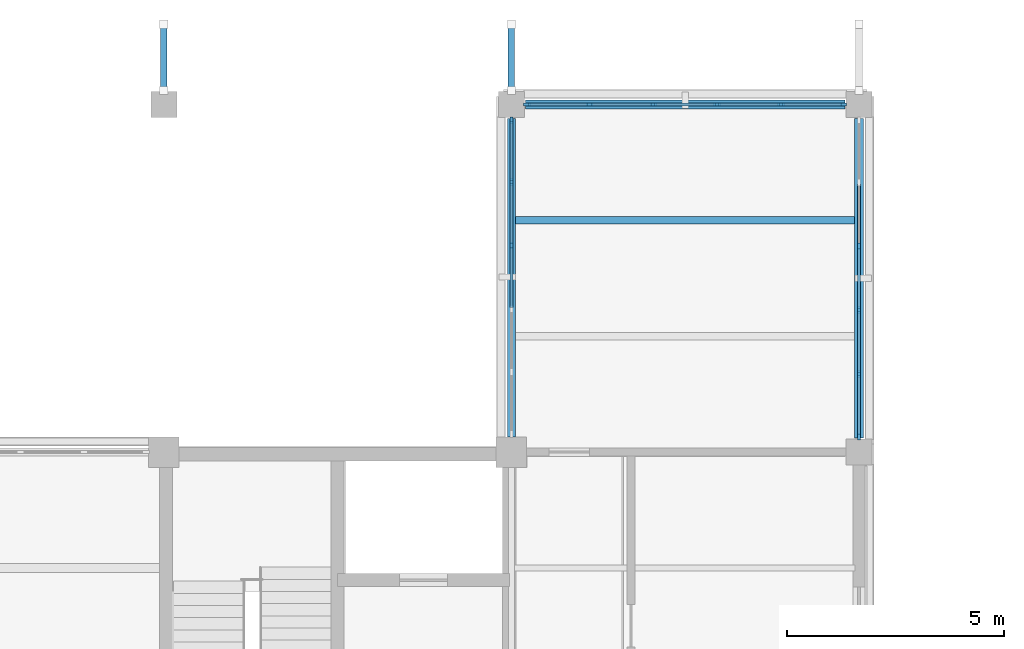
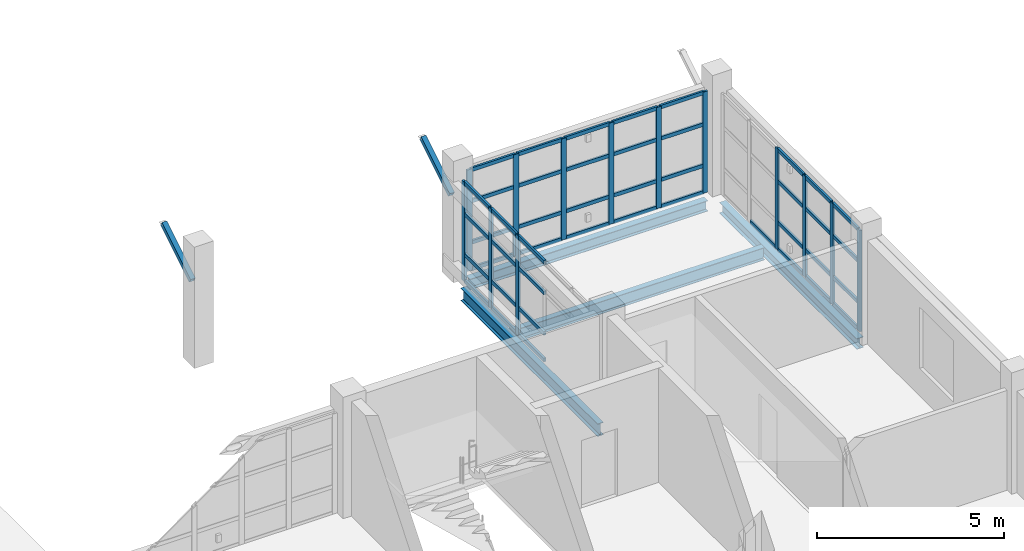
# One storey, part 7 of 35: 60 members, 4 beams, 3 elements without a shape of their own.
"""IFC4 building model written with IfcOpenShell, lengths in metres."""

from ifc_helpers import new_model, si_unit, derived_unit, direction, frame, origin, origin_2d, place, context, subcontext, project, spatial, rectangle, hollow_rectangle, i_section, extrude, material, layer, layer_set, material_profile, profile_set, type_object, element, aggregate, save


model = new_model("IFC4")

# Units and contexts
model_context = context("Model", 3, precision=1e-05, world=origin(), true_north=direction((0.0, 1.0)))
body_context = subcontext(model_context, "Body", "Model", "MODEL_VIEW")
ifc_project = project(units=[si_unit("LENGTHUNIT", "METRE"), si_unit("AREAUNIT", "SQUARE_METRE"), si_unit("VOLUMEUNIT", "CUBIC_METRE"), si_unit("PLANEANGLEUNIT", "RADIAN"), si_unit("MASSUNIT", "GRAM", prefix="KILO"), derived_unit("THERMALTRANSMITTANCEUNIT", [(si_unit("MASSUNIT", "GRAM", prefix="KILO"), 1), (si_unit("TIMEUNIT", "SECOND"), -3), (si_unit("THERMODYNAMICTEMPERATUREUNIT", "KELVIN"), -1)])], contexts=[model_context])

# Site, building, storey
site_placement = place(None, origin())
site = spatial("IfcSite", under=ifc_project, at=site_placement, CompositionType="ELEMENT")
building_placement = place(site_placement, origin())
building = spatial("IfcBuilding", under=site, at=building_placement, Name="Veyamyaing Civic Hall", CompositionType="ELEMENT")
storey_placement = place(building_placement, frame((0.0, 0.0, 21.780029296875)))
storey = spatial("IfcBuildingStorey", under=building, at=storey_placement, Name="L05", CompositionType="ELEMENT", Elevation=21.780029296875)

# Beams
ifc_material_1 = material(Name="Steel ASTM A992", Category="steel")
ifc_material_profile_1 = material_profile(ifc_material_1, i_section(OverallWidth=0.179931640625, OverallDepth=0.4130859375, WebThickness=0.009765625, FlangeThickness=0.01611328125, FilletRadius=0.010009765625, at=origin_2d()), Name="W410X74")
ifc_profile_set_1 = profile_set([ifc_material_profile_1], Name="Steel ASTM A992")
beam_type_1 = type_object("IfcBeamType", Name="B-10", PredefinedType="SPANDREL", material=ifc_profile_set_1)
beam_1_placement = place(storey_placement, frame((40.0, 104.35009765625, -0.431640625), z_axis=(0.0, 1.0, 0.0), x_axis=(-1.0, 0.0, 0.0)))
element("IfcBeam", 1, at=beam_1_placement, inside=storey, type_object=beam_type_1, Name="Girder B-10 L05 Grid 6 P-Q", PredefinedType="SPANDREL", context=body_context, shape_type="SweptSolid", body=[
    extrude(i_section(OverallWidth=0.179931640625, OverallDepth=0.4130859375, WebThickness=0.009765625, FlangeThickness=0.01611328125, FilletRadius=0.010009765625, at=origin_2d()), origin(), (0.0, 0.0, 1.0), 7.324951171875),
])
ifc_material_profile_2 = material_profile(ifc_material_1, i_section(OverallWidth=0.2041015625, OverallDepth=0.35009765625, WebThickness=0.0078125, FlangeThickness=0.01513671875, FilletRadius=0.010009765625, at=origin_2d()), Name="W360X72")
ifc_profile_set_2 = profile_set([ifc_material_profile_2], Name="Steel ASTM A992")
beam_type_2 = type_object("IfcBeamType", Name="B-11", PredefinedType="SPANDREL", material=ifc_profile_set_2)
for number, where, z_axis, x_axis, name in (
    (2, (40.324951171875, 112.0, -0.400146484375), (1.0, 0.0, 0.0), (0.0, 1.0, 0.0), "Girder B-11 L05 Grid Q 6-7"),
    (3, (48.0, 104.324951171875, -0.400146484375), (0.0, 1.0, 0.0), (-1.0, 0.0, 0.0), "Girder B-11 L05 Grid 7 P-Q"),
):
    element("IfcBeam", number, at=place(storey_placement, frame(where, z_axis=z_axis, x_axis=x_axis)), inside=storey, type_object=beam_type_2, Name=name, PredefinedType="SPANDREL", context=body_context, shape_type="SweptSolid", body=[
        extrude(i_section(OverallWidth=0.2041015625, OverallDepth=0.35009765625, WebThickness=0.0078125, FlangeThickness=0.01513671875, FilletRadius=0.010009765625, at=origin_2d()), origin(), (0.0, 0.0, 1.0), 7.35009765625),
    ])

# Curtain wall, members
ifc_material_2 = material(Name="Anodised aluminium 6063-T6", Category="aluminium")
ifc_layer = layer(ifc_material_2, 0.159912109375, Name="Anodised aluminium 6063-T6")
ifc_layer_set = layer_set([ifc_layer], Name="Anodised aluminium 6063-T6")
curtain_wall_type = type_object("IfcCurtainWallType", Name="CW-09", PredefinedType="NOTDEFINED", material=ifc_layer_set)
curtain_wall_1_placement = place(storey_placement, origin())
curtain_wall_1 = element("IfcCurtainWall", 4, at=curtain_wall_1_placement, inside=storey, type_object=curtain_wall_type, Name="Unitized curtain wall CW-09 L05 N 6.14", PredefinedType="NOTDEFINED")
ifc_material_profile_3 = material_profile(ifc_material_2, rectangle(XDim=0.06494140625, YDim=0.159912109375, at=origin_2d()), Name="ALU-MUL-65X160")
ifc_profile_set_3 = profile_set([ifc_material_profile_3], Name="Anodised aluminium 6063-T6")
member_type_1 = type_object("IfcMemberType", Name="CWM-01", PredefinedType="MULLION", material=ifc_profile_set_3)
member_1_placement = place(storey_placement, frame((40.362548828125, 112.0, 0.0), z_axis=(0.0, 0.0, 1.0), x_axis=(0.0, 1.0, 0.0)))
member_1 = element("IfcMember", 5, at=member_1_placement, type_object=member_type_1, Name="CW-09 mullion 1", PredefinedType="MULLION", context=body_context, shape_type="SweptSolid", body=[
    extrude(rectangle(XDim=0.06494140625, YDim=0.159912109375, at=origin_2d()), origin(), (0.0, 0.0, 1.0), 3.304931640625),
])
member_2_placement = place(storey_placement, frame((41.798095703125, 112.0, 0.0), z_axis=(0.0, 0.0, 1.0), x_axis=(0.0, 1.0, 0.0)))
member_2 = element("IfcMember", 6, at=member_2_placement, type_object=member_type_1, Name="CW-09 mullion 2", PredefinedType="MULLION", context=body_context, shape_type="SweptSolid", body=[
    extrude(rectangle(XDim=0.06494140625, YDim=0.159912109375, at=origin_2d()), origin(), (0.0, 0.0, 1.0), 3.304931640625),
])
member_3_placement = place(storey_placement, frame((43.26611328125, 112.0, 0.0), z_axis=(0.0, 0.0, 1.0), x_axis=(0.0, 1.0, 0.0)))
member_3 = element("IfcMember", 7, at=member_3_placement, type_object=member_type_1, Name="CW-09 mullion 3", PredefinedType="MULLION", context=body_context, shape_type="SweptSolid", body=[
    extrude(rectangle(XDim=0.06494140625, YDim=0.159912109375, at=origin_2d()), origin(), (0.0, 0.0, 1.0), 3.304931640625),
])
member_4_placement = place(storey_placement, frame((44.73388671875, 112.0, 0.0), z_axis=(0.0, 0.0, 1.0), x_axis=(0.0, 1.0, 0.0)))
member_4 = element("IfcMember", 8, at=member_4_placement, type_object=member_type_1, Name="CW-09 mullion 4", PredefinedType="MULLION", context=body_context, shape_type="SweptSolid", body=[
    extrude(rectangle(XDim=0.06494140625, YDim=0.159912109375, at=origin_2d()), origin(), (0.0, 0.0, 1.0), 3.304931640625),
])
member_5_placement = place(storey_placement, frame((46.201904296875, 112.0, 0.0), z_axis=(0.0, 0.0, 1.0), x_axis=(0.0, 1.0, 0.0)))
member_5 = element("IfcMember", 9, at=member_5_placement, type_object=member_type_1, Name="CW-09 mullion 5", PredefinedType="MULLION", context=body_context, shape_type="SweptSolid", body=[
    extrude(rectangle(XDim=0.06494140625, YDim=0.159912109375, at=origin_2d()), origin(), (0.0, 0.0, 1.0), 3.304931640625),
])
member_6_placement = place(storey_placement, frame((47.637451171875, 112.0, 0.0), z_axis=(0.0, 0.0, 1.0), x_axis=(0.0, 1.0, 0.0)))
member_6 = element("IfcMember", 10, at=member_6_placement, type_object=member_type_1, Name="CW-09 mullion 6", PredefinedType="MULLION", context=body_context, shape_type="SweptSolid", body=[
    extrude(rectangle(XDim=0.06494140625, YDim=0.159912109375, at=origin_2d()), origin(), (0.0, 0.0, 1.0), 3.304931640625),
])

curtain_wall_2_placement = place(storey_placement, origin())
curtain_wall_2 = element("IfcCurtainWall", 11, at=curtain_wall_2_placement, inside=storey, type_object=curtain_wall_type, Name="Unitized curtain wall CW-09 L05 W 6.14", PredefinedType="NOTDEFINED")
member_7_placement = place(storey_placement, frame((40.0, 108.75390625, 0.0), z_axis=(0.0, 0.0, 1.0), x_axis=(-1.0, 0.0, 0.0)))
member_7 = element("IfcMember", 12, at=member_7_placement, type_object=member_type_1, Name="CW-09 mullion 4", PredefinedType="MULLION", context=body_context, shape_type="SweptSolid", body=[
    extrude(rectangle(XDim=0.06494140625, YDim=0.159912109375, at=origin_2d()), origin(), (0.0, 0.0, 1.0), 3.259033203125),
])
member_8_placement = place(storey_placement, frame((40.0, 110.2119140625, 0.0), z_axis=(0.0, 0.0, 1.0), x_axis=(-1.0, 0.0, 0.0)))
member_8 = element("IfcMember", 13, at=member_8_placement, type_object=member_type_1, Name="CW-09 mullion 5", PredefinedType="MULLION", context=body_context, shape_type="SweptSolid", body=[
    extrude(rectangle(XDim=0.06494140625, YDim=0.159912109375, at=origin_2d()), origin(), (0.0, 0.0, 1.0), 3.259033203125),
])
member_9_placement = place(storey_placement, frame((40.0, 111.637451171875, 0.0), z_axis=(0.0, 0.0, 1.0), x_axis=(-1.0, 0.0, 0.0)))
member_9 = element("IfcMember", 14, at=member_9_placement, type_object=member_type_1, Name="CW-09 mullion 6", PredefinedType="MULLION", context=body_context, shape_type="SweptSolid", body=[
    extrude(rectangle(XDim=0.06494140625, YDim=0.159912109375, at=origin_2d()), origin(), (0.0, 0.0, 1.0), 3.259033203125),
])

curtain_wall_3_placement = place(storey_placement, origin())
curtain_wall_3 = element("IfcCurtainWall", 15, at=curtain_wall_3_placement, inside=storey, type_object=curtain_wall_type, Name="Unitized curtain wall CW-09 L05 E 6.14", PredefinedType="NOTDEFINED")
member_10_placement = place(storey_placement, frame((48.0, 104.362548828125, 0.0), z_axis=(0.0, 0.0, 1.0), x_axis=(-1.0, 0.0, 0.0)))
member_10 = element("IfcMember", 16, at=member_10_placement, type_object=member_type_1, Name="CW-09 mullion 1", PredefinedType="MULLION", context=body_context, shape_type="SweptSolid", body=[
    extrude(rectangle(XDim=0.06494140625, YDim=0.159912109375, at=origin_2d()), origin(), (0.0, 0.0, 1.0), 3.304931640625),
])
member_11_placement = place(storey_placement, frame((48.0, 105.798095703125, 0.0), z_axis=(0.0, 0.0, 1.0), x_axis=(-1.0, 0.0, 0.0)))
member_11 = element("IfcMember", 17, at=member_11_placement, type_object=member_type_1, Name="CW-09 mullion 2", PredefinedType="MULLION", context=body_context, shape_type="SweptSolid", body=[
    extrude(rectangle(XDim=0.06494140625, YDim=0.159912109375, at=origin_2d()), origin(), (0.0, 0.0, 1.0), 3.304931640625),
])
member_12_placement = place(storey_placement, frame((48.0, 107.26611328125, 0.0), z_axis=(0.0, 0.0, 1.0), x_axis=(-1.0, 0.0, 0.0)))
member_12 = element("IfcMember", 18, at=member_12_placement, type_object=member_type_1, Name="CW-09 mullion 3", PredefinedType="MULLION", context=body_context, shape_type="SweptSolid", body=[
    extrude(rectangle(XDim=0.06494140625, YDim=0.159912109375, at=origin_2d()), origin(), (0.0, 0.0, 1.0), 3.304931640625),
])
member_13_placement = place(storey_placement, frame((48.0, 108.73388671875, 0.0), z_axis=(0.0, 0.0, 1.0), x_axis=(-1.0, 0.0, 0.0)))
member_13 = element("IfcMember", 19, at=member_13_placement, type_object=member_type_1, Name="CW-09 mullion 4", PredefinedType="MULLION", context=body_context, shape_type="SweptSolid", body=[
    extrude(rectangle(XDim=0.06494140625, YDim=0.159912109375, at=origin_2d()), origin(), (0.0, 0.0, 1.0), 3.304931640625),
])

# Member
ifc_material_profile_4 = material_profile(ifc_material_2, rectangle(XDim=0.06494140625, YDim=0.1201171875, at=origin_2d()), Name="ALU-TRN-65X120")
ifc_profile_set_4 = profile_set([ifc_material_profile_4], Name="Anodised aluminium 6063-T6")
member_type_2 = type_object("IfcMemberType", Name="CWT-01", PredefinedType="USERDEFINED", material=ifc_profile_set_4)
member_14_placement = place(storey_placement, frame((40.39501953125, 112.0, 0.032470703125), z_axis=(1.0, 0.0, 0.0), x_axis=(0.0, 1.0, 0.0)))
member_14 = element("IfcMember", 20, at=member_14_placement, type_object=member_type_2, Name="CW-09 transom 1.1", ObjectType="TRANSOM", PredefinedType="USERDEFINED", context=body_context, shape_type="SweptSolid", body=[
    extrude(rectangle(XDim=0.06494140625, YDim=0.1201171875, at=origin_2d()), origin(), (0.0, 0.0, 1.0), 1.370361328125),
])

member_15_placement = place(storey_placement, frame((40.39501953125, 112.0, 0.89990234375), z_axis=(1.0, 0.0, 0.0), x_axis=(0.0, 1.0, 0.0)))
member_15 = element("IfcMember", 21, at=member_15_placement, type_object=member_type_2, Name="CW-09 transom 1.2", ObjectType="TRANSOM", PredefinedType="USERDEFINED", context=body_context, shape_type="SweptSolid", body=[
    extrude(rectangle(XDim=0.06494140625, YDim=0.1201171875, at=origin_2d()), origin(), (0.0, 0.0, 1.0), 1.370361328125),
])

member_16_placement = place(storey_placement, frame((40.39501953125, 112.0, 2.247314453125), z_axis=(1.0, 0.0, 0.0), x_axis=(0.0, 1.0, 0.0)))
member_16 = element("IfcMember", 22, at=member_16_placement, type_object=member_type_2, Name="CW-09 transom 1.3", ObjectType="TRANSOM", PredefinedType="USERDEFINED", context=body_context, shape_type="SweptSolid", body=[
    extrude(rectangle(XDim=0.06494140625, YDim=0.1201171875, at=origin_2d()), origin(), (0.0, 0.0, 1.0), 1.370361328125),
])

member_17_placement = place(storey_placement, frame((40.39501953125, 112.0, 3.2724609375), z_axis=(1.0, 0.0, 0.0), x_axis=(0.0, 1.0, 0.0)))
member_17 = element("IfcMember", 23, at=member_17_placement, type_object=member_type_2, Name="CW-09 transom 1.4", ObjectType="TRANSOM", PredefinedType="USERDEFINED", context=body_context, shape_type="SweptSolid", body=[
    extrude(rectangle(XDim=0.06494140625, YDim=0.1201171875, at=origin_2d()), origin(), (0.0, 0.0, 1.0), 1.370361328125),
])

member_18_placement = place(storey_placement, frame((41.83056640625, 112.0, 0.032470703125), z_axis=(1.0, 0.0, 0.0), x_axis=(0.0, 1.0, 0.0)))
member_18 = element("IfcMember", 24, at=member_18_placement, type_object=member_type_2, Name="CW-09 transom 2.1", ObjectType="TRANSOM", PredefinedType="USERDEFINED", context=body_context, shape_type="SweptSolid", body=[
    extrude(rectangle(XDim=0.06494140625, YDim=0.1201171875, at=origin_2d()), origin(), (0.0, 0.0, 1.0), 1.40283203125),
])

member_19_placement = place(storey_placement, frame((41.83056640625, 112.0, 0.89990234375), z_axis=(1.0, 0.0, 0.0), x_axis=(0.0, 1.0, 0.0)))
member_19 = element("IfcMember", 25, at=member_19_placement, type_object=member_type_2, Name="CW-09 transom 2.2", ObjectType="TRANSOM", PredefinedType="USERDEFINED", context=body_context, shape_type="SweptSolid", body=[
    extrude(rectangle(XDim=0.06494140625, YDim=0.1201171875, at=origin_2d()), origin(), (0.0, 0.0, 1.0), 1.40283203125),
])

member_20_placement = place(storey_placement, frame((41.83056640625, 112.0, 2.247314453125), z_axis=(1.0, 0.0, 0.0), x_axis=(0.0, 1.0, 0.0)))
member_20 = element("IfcMember", 26, at=member_20_placement, type_object=member_type_2, Name="CW-09 transom 2.3", ObjectType="TRANSOM", PredefinedType="USERDEFINED", context=body_context, shape_type="SweptSolid", body=[
    extrude(rectangle(XDim=0.06494140625, YDim=0.1201171875, at=origin_2d()), origin(), (0.0, 0.0, 1.0), 1.40283203125),
])

member_21_placement = place(storey_placement, frame((41.83056640625, 112.0, 3.2724609375), z_axis=(1.0, 0.0, 0.0), x_axis=(0.0, 1.0, 0.0)))
member_21 = element("IfcMember", 27, at=member_21_placement, type_object=member_type_2, Name="CW-09 transom 2.4", ObjectType="TRANSOM", PredefinedType="USERDEFINED", context=body_context, shape_type="SweptSolid", body=[
    extrude(rectangle(XDim=0.06494140625, YDim=0.1201171875, at=origin_2d()), origin(), (0.0, 0.0, 1.0), 1.40283203125),
])

member_22_placement = place(storey_placement, frame((43.298583984375, 112.0, 0.032470703125), z_axis=(1.0, 0.0, 0.0), x_axis=(0.0, 1.0, 0.0)))
member_22 = element("IfcMember", 28, at=member_22_placement, type_object=member_type_2, Name="CW-09 transom 3.1", ObjectType="TRANSOM", PredefinedType="USERDEFINED", context=body_context, shape_type="SweptSolid", body=[
    extrude(rectangle(XDim=0.06494140625, YDim=0.1201171875, at=origin_2d()), origin(), (0.0, 0.0, 1.0), 1.40283203125),
])

member_23_placement = place(storey_placement, frame((43.298583984375, 112.0, 0.89990234375), z_axis=(1.0, 0.0, 0.0), x_axis=(0.0, 1.0, 0.0)))
member_23 = element("IfcMember", 29, at=member_23_placement, type_object=member_type_2, Name="CW-09 transom 3.2", ObjectType="TRANSOM", PredefinedType="USERDEFINED", context=body_context, shape_type="SweptSolid", body=[
    extrude(rectangle(XDim=0.06494140625, YDim=0.1201171875, at=origin_2d()), origin(), (0.0, 0.0, 1.0), 1.40283203125),
])

member_24_placement = place(storey_placement, frame((43.298583984375, 112.0, 2.247314453125), z_axis=(1.0, 0.0, 0.0), x_axis=(0.0, 1.0, 0.0)))
member_24 = element("IfcMember", 30, at=member_24_placement, type_object=member_type_2, Name="CW-09 transom 3.3", ObjectType="TRANSOM", PredefinedType="USERDEFINED", context=body_context, shape_type="SweptSolid", body=[
    extrude(rectangle(XDim=0.06494140625, YDim=0.1201171875, at=origin_2d()), origin(), (0.0, 0.0, 1.0), 1.40283203125),
])

member_25_placement = place(storey_placement, frame((43.298583984375, 112.0, 3.2724609375), z_axis=(1.0, 0.0, 0.0), x_axis=(0.0, 1.0, 0.0)))
member_25 = element("IfcMember", 31, at=member_25_placement, type_object=member_type_2, Name="CW-09 transom 3.4", ObjectType="TRANSOM", PredefinedType="USERDEFINED", context=body_context, shape_type="SweptSolid", body=[
    extrude(rectangle(XDim=0.06494140625, YDim=0.1201171875, at=origin_2d()), origin(), (0.0, 0.0, 1.0), 1.40283203125),
])

member_26_placement = place(storey_placement, frame((44.7666015625, 112.0, 0.032470703125), z_axis=(1.0, 0.0, 0.0), x_axis=(0.0, 1.0, 0.0)))
member_26 = element("IfcMember", 32, at=member_26_placement, type_object=member_type_2, Name="CW-09 transom 4.1", ObjectType="TRANSOM", PredefinedType="USERDEFINED", context=body_context, shape_type="SweptSolid", body=[
    extrude(rectangle(XDim=0.06494140625, YDim=0.1201171875, at=origin_2d()), origin(), (0.0, 0.0, 1.0), 1.40283203125),
])

member_27_placement = place(storey_placement, frame((44.7666015625, 112.0, 0.89990234375), z_axis=(1.0, 0.0, 0.0), x_axis=(0.0, 1.0, 0.0)))
member_27 = element("IfcMember", 33, at=member_27_placement, type_object=member_type_2, Name="CW-09 transom 4.2", ObjectType="TRANSOM", PredefinedType="USERDEFINED", context=body_context, shape_type="SweptSolid", body=[
    extrude(rectangle(XDim=0.06494140625, YDim=0.1201171875, at=origin_2d()), origin(), (0.0, 0.0, 1.0), 1.40283203125),
])

member_28_placement = place(storey_placement, frame((44.7666015625, 112.0, 2.247314453125), z_axis=(1.0, 0.0, 0.0), x_axis=(0.0, 1.0, 0.0)))
member_28 = element("IfcMember", 34, at=member_28_placement, type_object=member_type_2, Name="CW-09 transom 4.3", ObjectType="TRANSOM", PredefinedType="USERDEFINED", context=body_context, shape_type="SweptSolid", body=[
    extrude(rectangle(XDim=0.06494140625, YDim=0.1201171875, at=origin_2d()), origin(), (0.0, 0.0, 1.0), 1.40283203125),
])

member_29_placement = place(storey_placement, frame((44.7666015625, 112.0, 3.2724609375), z_axis=(1.0, 0.0, 0.0), x_axis=(0.0, 1.0, 0.0)))
member_29 = element("IfcMember", 35, at=member_29_placement, type_object=member_type_2, Name="CW-09 transom 4.4", ObjectType="TRANSOM", PredefinedType="USERDEFINED", context=body_context, shape_type="SweptSolid", body=[
    extrude(rectangle(XDim=0.06494140625, YDim=0.1201171875, at=origin_2d()), origin(), (0.0, 0.0, 1.0), 1.40283203125),
])

member_30_placement = place(storey_placement, frame((46.234619140625, 112.0, 0.032470703125), z_axis=(1.0, 0.0, 0.0), x_axis=(0.0, 1.0, 0.0)))
member_30 = element("IfcMember", 36, at=member_30_placement, type_object=member_type_2, Name="CW-09 transom 5.1", ObjectType="TRANSOM", PredefinedType="USERDEFINED", context=body_context, shape_type="SweptSolid", body=[
    extrude(rectangle(XDim=0.06494140625, YDim=0.1201171875, at=origin_2d()), origin(), (0.0, 0.0, 1.0), 1.370361328125),
])

member_31_placement = place(storey_placement, frame((46.234619140625, 112.0, 0.89990234375), z_axis=(1.0, 0.0, 0.0), x_axis=(0.0, 1.0, 0.0)))
member_31 = element("IfcMember", 37, at=member_31_placement, type_object=member_type_2, Name="CW-09 transom 5.2", ObjectType="TRANSOM", PredefinedType="USERDEFINED", context=body_context, shape_type="SweptSolid", body=[
    extrude(rectangle(XDim=0.06494140625, YDim=0.1201171875, at=origin_2d()), origin(), (0.0, 0.0, 1.0), 1.370361328125),
])

member_32_placement = place(storey_placement, frame((46.234619140625, 112.0, 2.247314453125), z_axis=(1.0, 0.0, 0.0), x_axis=(0.0, 1.0, 0.0)))
member_32 = element("IfcMember", 38, at=member_32_placement, type_object=member_type_2, Name="CW-09 transom 5.3", ObjectType="TRANSOM", PredefinedType="USERDEFINED", context=body_context, shape_type="SweptSolid", body=[
    extrude(rectangle(XDim=0.06494140625, YDim=0.1201171875, at=origin_2d()), origin(), (0.0, 0.0, 1.0), 1.370361328125),
])

member_33_placement = place(storey_placement, frame((46.234619140625, 112.0, 3.2724609375), z_axis=(1.0, 0.0, 0.0), x_axis=(0.0, 1.0, 0.0)))
member_33 = element("IfcMember", 39, at=member_33_placement, type_object=member_type_2, Name="CW-09 transom 5.4", ObjectType="TRANSOM", PredefinedType="USERDEFINED", context=body_context, shape_type="SweptSolid", body=[
    extrude(rectangle(XDim=0.06494140625, YDim=0.1201171875, at=origin_2d()), origin(), (0.0, 0.0, 1.0), 1.370361328125),
])

aggregate(curtain_wall_1, [member_1, member_2, member_3, member_4, member_5, member_6, member_14, member_15, member_16, member_17, member_18, member_19, member_20, member_21, member_22, member_23, member_24, member_25, member_26, member_27, member_28, member_29, member_30, member_31, member_32, member_33])

member_34_placement = place(storey_placement, frame((40.0, 107.32861328125, 0.032470703125), z_axis=(0.0, 1.0, 0.0), x_axis=(-1.0, 0.0, 0.0)))
member_34 = element("IfcMember", 40, at=member_34_placement, type_object=member_type_2, Name="CW-09 transom 3.1", ObjectType="TRANSOM", PredefinedType="USERDEFINED", context=body_context, shape_type="SweptSolid", body=[
    extrude(rectangle(XDim=0.06494140625, YDim=0.1201171875, at=origin_2d()), origin(), (0.0, 0.0, 1.0), 1.392822265625),
])

member_35_placement = place(storey_placement, frame((40.0, 107.32861328125, 0.89990234375), z_axis=(0.0, 1.0, 0.0), x_axis=(-1.0, 0.0, 0.0)))
member_35 = element("IfcMember", 41, at=member_35_placement, type_object=member_type_2, Name="CW-09 transom 3.2", ObjectType="TRANSOM", PredefinedType="USERDEFINED", context=body_context, shape_type="SweptSolid", body=[
    extrude(rectangle(XDim=0.06494140625, YDim=0.1201171875, at=origin_2d()), origin(), (0.0, 0.0, 1.0), 1.392822265625),
])

member_36_placement = place(storey_placement, frame((40.0, 107.32861328125, 2.216064453125), z_axis=(0.0, 1.0, 0.0), x_axis=(-1.0, 0.0, 0.0)))
member_36 = element("IfcMember", 42, at=member_36_placement, type_object=member_type_2, Name="CW-09 transom 3.3", ObjectType="TRANSOM", PredefinedType="USERDEFINED", context=body_context, shape_type="SweptSolid", body=[
    extrude(rectangle(XDim=0.06494140625, YDim=0.1201171875, at=origin_2d()), origin(), (0.0, 0.0, 1.0), 1.392822265625),
])

member_37_placement = place(storey_placement, frame((40.0, 107.32861328125, 3.2265625), z_axis=(0.0, 1.0, 0.0), x_axis=(-1.0, 0.0, 0.0)))
member_37 = element("IfcMember", 43, at=member_37_placement, type_object=member_type_2, Name="CW-09 transom 3.4", ObjectType="TRANSOM", PredefinedType="USERDEFINED", context=body_context, shape_type="SweptSolid", body=[
    extrude(rectangle(XDim=0.06494140625, YDim=0.1201171875, at=origin_2d()), origin(), (0.0, 0.0, 1.0), 1.392822265625),
])

member_38_placement = place(storey_placement, frame((40.0, 108.78662109375, 0.032470703125), z_axis=(0.0, 1.0, 0.0), x_axis=(-1.0, 0.0, 0.0)))
member_38 = element("IfcMember", 44, at=member_38_placement, type_object=member_type_2, Name="CW-09 transom 4.1", ObjectType="TRANSOM", PredefinedType="USERDEFINED", context=body_context, shape_type="SweptSolid", body=[
    extrude(rectangle(XDim=0.06494140625, YDim=0.1201171875, at=origin_2d()), origin(), (0.0, 0.0, 1.0), 1.392822265625),
])

member_39_placement = place(storey_placement, frame((40.0, 108.78662109375, 0.89990234375), z_axis=(0.0, 1.0, 0.0), x_axis=(-1.0, 0.0, 0.0)))
member_39 = element("IfcMember", 45, at=member_39_placement, type_object=member_type_2, Name="CW-09 transom 4.2", ObjectType="TRANSOM", PredefinedType="USERDEFINED", context=body_context, shape_type="SweptSolid", body=[
    extrude(rectangle(XDim=0.06494140625, YDim=0.1201171875, at=origin_2d()), origin(), (0.0, 0.0, 1.0), 1.392822265625),
])

member_40_placement = place(storey_placement, frame((40.0, 108.78662109375, 2.216064453125), z_axis=(0.0, 1.0, 0.0), x_axis=(-1.0, 0.0, 0.0)))
member_40 = element("IfcMember", 46, at=member_40_placement, type_object=member_type_2, Name="CW-09 transom 4.3", ObjectType="TRANSOM", PredefinedType="USERDEFINED", context=body_context, shape_type="SweptSolid", body=[
    extrude(rectangle(XDim=0.06494140625, YDim=0.1201171875, at=origin_2d()), origin(), (0.0, 0.0, 1.0), 1.392822265625),
])

member_41_placement = place(storey_placement, frame((40.0, 108.78662109375, 3.2265625), z_axis=(0.0, 1.0, 0.0), x_axis=(-1.0, 0.0, 0.0)))
member_41 = element("IfcMember", 47, at=member_41_placement, type_object=member_type_2, Name="CW-09 transom 4.4", ObjectType="TRANSOM", PredefinedType="USERDEFINED", context=body_context, shape_type="SweptSolid", body=[
    extrude(rectangle(XDim=0.06494140625, YDim=0.1201171875, at=origin_2d()), origin(), (0.0, 0.0, 1.0), 1.392822265625),
])

member_42_placement = place(storey_placement, frame((40.0, 110.244384765625, 0.032470703125), z_axis=(0.0, 1.0, 0.0), x_axis=(-1.0, 0.0, 0.0)))
member_42 = element("IfcMember", 48, at=member_42_placement, type_object=member_type_2, Name="CW-09 transom 5.1", ObjectType="TRANSOM", PredefinedType="USERDEFINED", context=body_context, shape_type="SweptSolid", body=[
    extrude(rectangle(XDim=0.06494140625, YDim=0.1201171875, at=origin_2d()), origin(), (0.0, 0.0, 1.0), 1.360595703125),
])

member_43_placement = place(storey_placement, frame((40.0, 110.244384765625, 0.89990234375), z_axis=(0.0, 1.0, 0.0), x_axis=(-1.0, 0.0, 0.0)))
member_43 = element("IfcMember", 49, at=member_43_placement, type_object=member_type_2, Name="CW-09 transom 5.2", ObjectType="TRANSOM", PredefinedType="USERDEFINED", context=body_context, shape_type="SweptSolid", body=[
    extrude(rectangle(XDim=0.06494140625, YDim=0.1201171875, at=origin_2d()), origin(), (0.0, 0.0, 1.0), 1.360595703125),
])

member_44_placement = place(storey_placement, frame((40.0, 110.244384765625, 2.216064453125), z_axis=(0.0, 1.0, 0.0), x_axis=(-1.0, 0.0, 0.0)))
member_44 = element("IfcMember", 50, at=member_44_placement, type_object=member_type_2, Name="CW-09 transom 5.3", ObjectType="TRANSOM", PredefinedType="USERDEFINED", context=body_context, shape_type="SweptSolid", body=[
    extrude(rectangle(XDim=0.06494140625, YDim=0.1201171875, at=origin_2d()), origin(), (0.0, 0.0, 1.0), 1.360595703125),
])

member_45_placement = place(storey_placement, frame((40.0, 110.244384765625, 3.2265625), z_axis=(0.0, 1.0, 0.0), x_axis=(-1.0, 0.0, 0.0)))
member_45 = element("IfcMember", 51, at=member_45_placement, type_object=member_type_2, Name="CW-09 transom 5.4", ObjectType="TRANSOM", PredefinedType="USERDEFINED", context=body_context, shape_type="SweptSolid", body=[
    extrude(rectangle(XDim=0.06494140625, YDim=0.1201171875, at=origin_2d()), origin(), (0.0, 0.0, 1.0), 1.360595703125),
])

aggregate(curtain_wall_2, [member_7, member_8, member_9, member_34, member_35, member_36, member_37, member_38, member_39, member_40, member_41, member_42, member_43, member_44, member_45])

member_46_placement = place(storey_placement, frame((48.0, 104.39501953125, 0.032470703125), z_axis=(0.0, 1.0, 0.0), x_axis=(-1.0, 0.0, 0.0)))
member_46 = element("IfcMember", 52, at=member_46_placement, type_object=member_type_2, Name="CW-09 transom 1.1", ObjectType="TRANSOM", PredefinedType="USERDEFINED", context=body_context, shape_type="SweptSolid", body=[
    extrude(rectangle(XDim=0.06494140625, YDim=0.1201171875, at=origin_2d()), origin(), (0.0, 0.0, 1.0), 1.370361328125),
])

member_47_placement = place(storey_placement, frame((48.0, 104.39501953125, 0.89990234375), z_axis=(0.0, 1.0, 0.0), x_axis=(-1.0, 0.0, 0.0)))
member_47 = element("IfcMember", 53, at=member_47_placement, type_object=member_type_2, Name="CW-09 transom 1.2", ObjectType="TRANSOM", PredefinedType="USERDEFINED", context=body_context, shape_type="SweptSolid", body=[
    extrude(rectangle(XDim=0.06494140625, YDim=0.1201171875, at=origin_2d()), origin(), (0.0, 0.0, 1.0), 1.370361328125),
])

member_48_placement = place(storey_placement, frame((48.0, 104.39501953125, 2.247314453125), z_axis=(0.0, 1.0, 0.0), x_axis=(-1.0, 0.0, 0.0)))
member_48 = element("IfcMember", 54, at=member_48_placement, type_object=member_type_2, Name="CW-09 transom 1.3", ObjectType="TRANSOM", PredefinedType="USERDEFINED", context=body_context, shape_type="SweptSolid", body=[
    extrude(rectangle(XDim=0.06494140625, YDim=0.1201171875, at=origin_2d()), origin(), (0.0, 0.0, 1.0), 1.370361328125),
])

member_49_placement = place(storey_placement, frame((48.0, 104.39501953125, 3.2724609375), z_axis=(0.0, 1.0, 0.0), x_axis=(-1.0, 0.0, 0.0)))
member_49 = element("IfcMember", 55, at=member_49_placement, type_object=member_type_2, Name="CW-09 transom 1.4", ObjectType="TRANSOM", PredefinedType="USERDEFINED", context=body_context, shape_type="SweptSolid", body=[
    extrude(rectangle(XDim=0.06494140625, YDim=0.1201171875, at=origin_2d()), origin(), (0.0, 0.0, 1.0), 1.370361328125),
])

member_50_placement = place(storey_placement, frame((48.0, 105.83056640625, 0.032470703125), z_axis=(0.0, 1.0, 0.0), x_axis=(-1.0, 0.0, 0.0)))
member_50 = element("IfcMember", 56, at=member_50_placement, type_object=member_type_2, Name="CW-09 transom 2.1", ObjectType="TRANSOM", PredefinedType="USERDEFINED", context=body_context, shape_type="SweptSolid", body=[
    extrude(rectangle(XDim=0.06494140625, YDim=0.1201171875, at=origin_2d()), origin(), (0.0, 0.0, 1.0), 1.40283203125),
])

member_51_placement = place(storey_placement, frame((48.0, 105.83056640625, 0.89990234375), z_axis=(0.0, 1.0, 0.0), x_axis=(-1.0, 0.0, 0.0)))
member_51 = element("IfcMember", 57, at=member_51_placement, type_object=member_type_2, Name="CW-09 transom 2.2", ObjectType="TRANSOM", PredefinedType="USERDEFINED", context=body_context, shape_type="SweptSolid", body=[
    extrude(rectangle(XDim=0.06494140625, YDim=0.1201171875, at=origin_2d()), origin(), (0.0, 0.0, 1.0), 1.40283203125),
])

member_52_placement = place(storey_placement, frame((48.0, 105.83056640625, 2.247314453125), z_axis=(0.0, 1.0, 0.0), x_axis=(-1.0, 0.0, 0.0)))
member_52 = element("IfcMember", 58, at=member_52_placement, type_object=member_type_2, Name="CW-09 transom 2.3", ObjectType="TRANSOM", PredefinedType="USERDEFINED", context=body_context, shape_type="SweptSolid", body=[
    extrude(rectangle(XDim=0.06494140625, YDim=0.1201171875, at=origin_2d()), origin(), (0.0, 0.0, 1.0), 1.40283203125),
])

member_53_placement = place(storey_placement, frame((48.0, 105.83056640625, 3.2724609375), z_axis=(0.0, 1.0, 0.0), x_axis=(-1.0, 0.0, 0.0)))
member_53 = element("IfcMember", 59, at=member_53_placement, type_object=member_type_2, Name="CW-09 transom 2.4", ObjectType="TRANSOM", PredefinedType="USERDEFINED", context=body_context, shape_type="SweptSolid", body=[
    extrude(rectangle(XDim=0.06494140625, YDim=0.1201171875, at=origin_2d()), origin(), (0.0, 0.0, 1.0), 1.40283203125),
])

member_54_placement = place(storey_placement, frame((48.0, 107.298583984375, 0.032470703125), z_axis=(0.0, 1.0, 0.0), x_axis=(-1.0, 0.0, 0.0)))
member_54 = element("IfcMember", 60, at=member_54_placement, type_object=member_type_2, Name="CW-09 transom 3.1", ObjectType="TRANSOM", PredefinedType="USERDEFINED", context=body_context, shape_type="SweptSolid", body=[
    extrude(rectangle(XDim=0.06494140625, YDim=0.1201171875, at=origin_2d()), origin(), (0.0, 0.0, 1.0), 1.40283203125),
])

member_55_placement = place(storey_placement, frame((48.0, 107.298583984375, 0.89990234375), z_axis=(0.0, 1.0, 0.0), x_axis=(-1.0, 0.0, 0.0)))
member_55 = element("IfcMember", 61, at=member_55_placement, type_object=member_type_2, Name="CW-09 transom 3.2", ObjectType="TRANSOM", PredefinedType="USERDEFINED", context=body_context, shape_type="SweptSolid", body=[
    extrude(rectangle(XDim=0.06494140625, YDim=0.1201171875, at=origin_2d()), origin(), (0.0, 0.0, 1.0), 1.40283203125),
])

member_56_placement = place(storey_placement, frame((48.0, 107.298583984375, 2.247314453125), z_axis=(0.0, 1.0, 0.0), x_axis=(-1.0, 0.0, 0.0)))
member_56 = element("IfcMember", 62, at=member_56_placement, type_object=member_type_2, Name="CW-09 transom 3.3", ObjectType="TRANSOM", PredefinedType="USERDEFINED", context=body_context, shape_type="SweptSolid", body=[
    extrude(rectangle(XDim=0.06494140625, YDim=0.1201171875, at=origin_2d()), origin(), (0.0, 0.0, 1.0), 1.40283203125),
])

member_57_placement = place(storey_placement, frame((48.0, 107.298583984375, 3.2724609375), z_axis=(0.0, 1.0, 0.0), x_axis=(-1.0, 0.0, 0.0)))
member_57 = element("IfcMember", 63, at=member_57_placement, type_object=member_type_2, Name="CW-09 transom 3.4", ObjectType="TRANSOM", PredefinedType="USERDEFINED", context=body_context, shape_type="SweptSolid", body=[
    extrude(rectangle(XDim=0.06494140625, YDim=0.1201171875, at=origin_2d()), origin(), (0.0, 0.0, 1.0), 1.40283203125),
])

member_58_placement = place(storey_placement, frame((48.0, 108.7666015625, 0.032470703125), z_axis=(0.0, 1.0, 0.0), x_axis=(-1.0, 0.0, 0.0)))
member_58 = element("IfcMember", 64, at=member_58_placement, type_object=member_type_2, Name="CW-09 transom 4.1", ObjectType="TRANSOM", PredefinedType="USERDEFINED", context=body_context, shape_type="SweptSolid", body=[
    extrude(rectangle(XDim=0.06494140625, YDim=0.1201171875, at=origin_2d()), origin(), (0.0, 0.0, 1.0), 1.40283203125),
])

aggregate(curtain_wall_3, [member_10, member_11, member_12, member_13, member_46, member_47, member_48, member_49, member_50, member_51, member_52, member_53, member_54, member_55, member_56, member_57, member_58])

# Beam
ifc_material_profile_5 = material_profile(ifc_material_1, i_section(OverallWidth=0.177978515625, OverallDepth=0.406982421875, WebThickness=0.0078125, FlangeThickness=0.0126953125, FilletRadius=0.010009765625, at=origin_2d()), Name="W410X60")
ifc_profile_set_5 = profile_set([ifc_material_profile_5], Name="Steel ASTM A992")
beam_type_3 = type_object("IfcBeamType", Name="J-01", PredefinedType="JOIST", material=ifc_profile_set_5)
beam_2_placement = place(storey_placement, frame((40.087890625, 109.333251953125, -0.428466796875), z_axis=(1.0, 0.0, 0.0), x_axis=(0.0, 1.0, 0.0)))
element("IfcBeam", 65, at=beam_2_placement, inside=storey, type_object=beam_type_3, Name="Composite floor joist J-01 L05 6.14.2", PredefinedType="JOIST", context=body_context, shape_type="SweptSolid", body=[
    extrude(i_section(OverallWidth=0.177978515625, OverallDepth=0.406982421875, WebThickness=0.0078125, FlangeThickness=0.0126953125, FilletRadius=0.010009765625, at=origin_2d()), origin(), (0.0, 0.0, 1.0), 7.81201171875),
])

# Members
ifc_material_3 = material(Name="Steel S355J2", Category="steel")
ifc_material_profile_6 = material_profile(ifc_material_3, hollow_rectangle(XDim=0.152099609375, YDim=0.152099609375, WallThickness=0.009521484375, at=origin_2d()), Name="HSS152X152X9.5")
ifc_profile_set_6 = profile_set([ifc_material_profile_6], Name="Steel S355J2")
member_type_3 = type_object("IfcMemberType", Name="SR-01", PredefinedType="STRUT", material=ifc_profile_set_6)
for number, where, z_axis, x_axis, name in (
    (66, (32.0, 112.320068359375, 2.409912109375), (0.0, 0.852059527287, 0.523444898685), (-1.0, 0.0, 0.0), "Sacak diagonal steel eave strut SR-01 V4-NW.4"),
    (67, (40.0, 112.320068359375, 2.409912109375), (0.0, 0.852059527287, 0.523444898685), (-1.0, 0.0, 0.0), "Sacak diagonal steel eave strut SR-01 V4-NW.5"),
):
    element("IfcMember", number, at=place(storey_placement, frame(where, z_axis=z_axis, x_axis=x_axis)), inside=storey, type_object=member_type_3, Name=name, PredefinedType="STRUT", context=body_context, shape_type="SweptSolid", body=[
        extrude(hollow_rectangle(XDim=0.152099609375, YDim=0.152099609375, WallThickness=0.009521484375, at=origin_2d()), origin(), (0.0, 0.0, 1.0), 1.795654296875),
    ])

save(model, "model.ifc")
